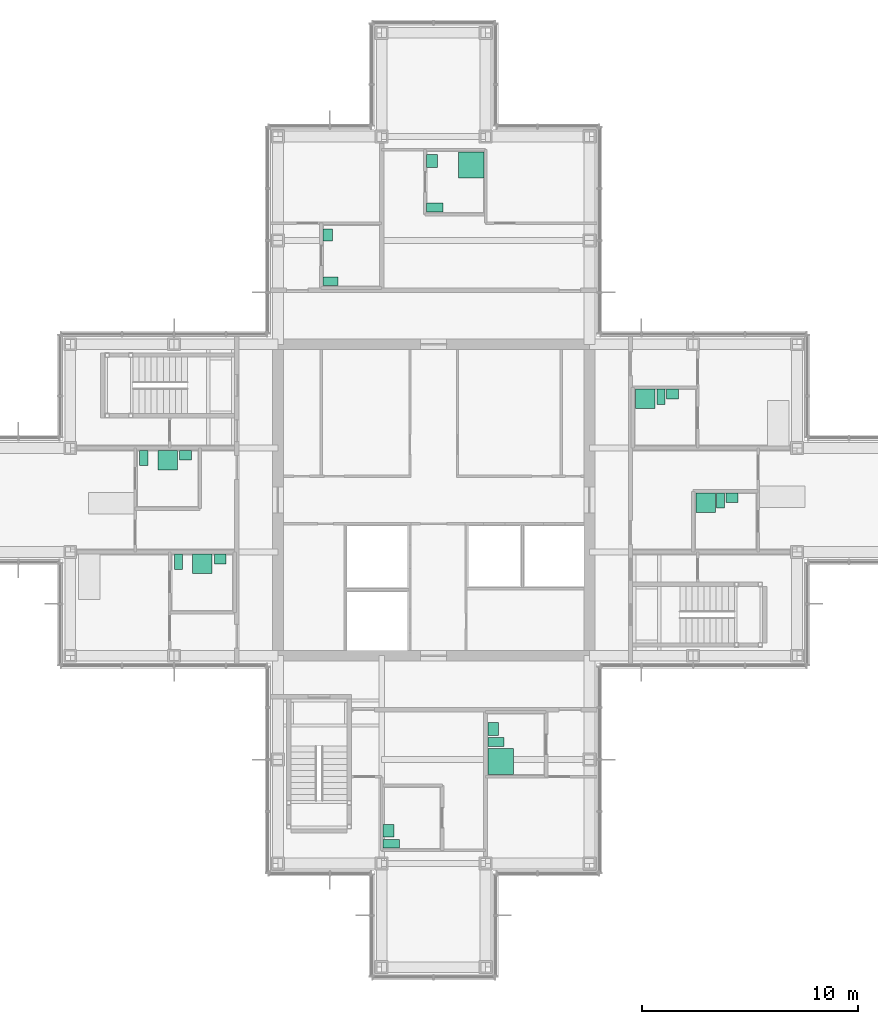
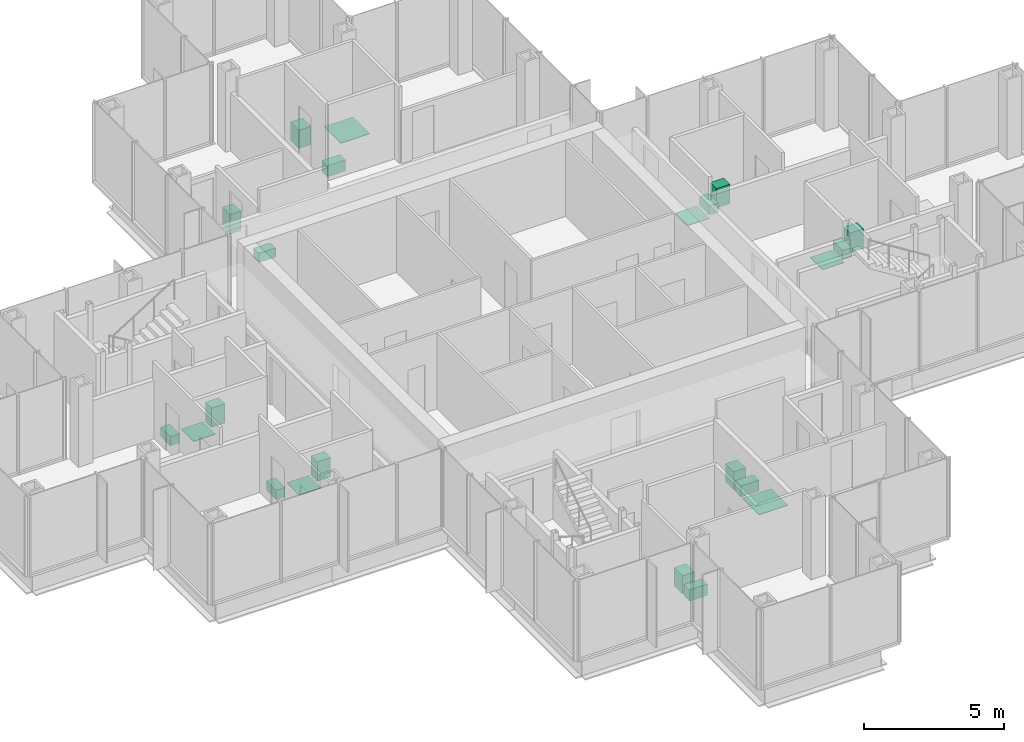
# One storey, part 16 of 17: 22 sanitary terminals.
"""IFC4 building model written with IfcOpenShell, lengths in metres."""

from ifc_helpers import new_model, si_unit, direction, frame, origin, origin_2d, place, context, subcontext, project, spatial, rectangle, extrude, material, type_object, element, save


model = new_model("IFC4")

# Units and contexts
model_context = context("Model", 3, precision=1e-05, world=origin(), true_north=direction((0.0, 1.0)))
body_context = subcontext(model_context, "Body", "Model", "MODEL_VIEW")
ifc_project = project(units=[si_unit("LENGTHUNIT", "METRE"), si_unit("AREAUNIT", "SQUARE_METRE"), si_unit("VOLUMEUNIT", "CUBIC_METRE"), si_unit("PLANEANGLEUNIT", "RADIAN"), si_unit("MASSUNIT", "GRAM", prefix="KILO")], contexts=[model_context])

# Site, building, storey
site_placement = place(None, origin())
site = spatial("IfcSite", under=ifc_project, at=site_placement, CompositionType="ELEMENT")
building_placement = place(site_placement, origin())
building = spatial("IfcBuilding", under=site, at=building_placement, Name="Kvirike Care Tower", CompositionType="ELEMENT")
storey_placement = place(building_placement, frame((0.0, 0.0, 172.5)))
storey = spatial("IfcBuildingStorey", under=building, at=storey_placement, Name="L47", CompositionType="ELEMENT", Elevation=172.5)

# Sanitary terminals
ifc_material_1 = material(Name="Vitreous china", Category="ceramic")
sanitary_terminal_type_1 = type_object("IfcSanitaryTerminalType", Name="ACCESSIBLE WASH BASIN 600 x 500", PredefinedType="WASHHANDBASIN", material=ifc_material_1)
for number, where, z_axis, x_axis, name in (
    (1, (19.511962890625, 20.7099609375, 0.02001953125), (0.0, 0.0, 1.0), (0.0, 1.0, 0.0), "Accessible wash basin L47-014"),
    (2, (24.35205078125, 25.409912109375, 0.02001953125), (0.0, 0.0, 1.0), (0.0, 1.0, 0.0), "Accessible wash basin L47-017"),
    (3, (21.527099609375, 51.675048828125, 0.02001953125), (0.0, 0.0, 1.0), (0.0, 1.0, 0.0), "Accessible wash basin L47-021"),
):
    element("IfcSanitaryTerminal", number, at=place(storey_placement, frame(where, z_axis=z_axis, x_axis=x_axis)), inside=storey, type_object=sanitary_terminal_type_1, Name=name, PredefinedType="WASHHANDBASIN", context=body_context, shape_type="SweptSolid", body=[
        extrude(rectangle(XDim=0.60009765625, YDim=0.5, at=origin_2d()), origin(), (0.0, 0.0, 1.0), 0.800048828125),
    ])
ifc_material_2 = material(Name="Vitreous china", Category="ceramic")
sanitary_terminal_type_2 = type_object("IfcSanitaryTerminalType", Name="ACCESSIBLE WC PAN 400 x 750", PredefinedType="TOILETPAN", material=ifc_material_2)
for number, where, z_axis, x_axis, name in (
    (4, (19.636962890625, 20.110107421875, 0.02001953125), (0.0, 0.0, 1.0), (0.0, 1.0, 0.0), "Accessible WC pan L47-014"),
    (5, (24.47705078125, 24.81005859375, 0.02001953125), (0.0, 0.0, 1.0), (0.0, 1.0, 0.0), "Accessible WC pan L47-017"),
    (6, (21.652099609375, 49.52490234375, 0.02001953125), (0.0, 0.0, 1.0), (0.0, 1.0, 0.0), "Accessible WC pan L47-021"),
):
    element("IfcSanitaryTerminal", number, at=place(storey_placement, frame(where, z_axis=z_axis, x_axis=x_axis)), inside=storey, type_object=sanitary_terminal_type_2, Name=name, PredefinedType="TOILETPAN", context=body_context, shape_type="SweptSolid", body=[
        extrude(rectangle(XDim=0.39990234375, YDim=0.75, at=origin_2d()), origin(), (0.0, 0.0, 1.0), 0.47998046875),
    ])
ifc_material_3 = material(Name="Stainless steel", Category="steel")
sanitary_terminal_type_3 = type_object("IfcSanitaryTerminalType", Name="LEVEL-ACCESS SHOWER 1200 x 1200", PredefinedType="SHOWER", material=ifc_material_3)
for number, where, z_axis, x_axis, name in (
    (7, (24.701904296875, 23.909912109375, 0.02001953125), (0.0, 0.0, 1.0), (0.0, 1.0, 0.0), "Level-access shower L47-017"),
    (8, (23.337890625, 51.489990234375, 0.02001953125), (0.0, 0.0, 1.0), (0.0, -1.0, 0.0), "Level-access shower L47-021"),
):
    element("IfcSanitaryTerminal", number, at=place(storey_placement, frame(where, z_axis=z_axis, x_axis=x_axis)), inside=storey, type_object=sanitary_terminal_type_3, Name=name, PredefinedType="SHOWER", context=body_context, shape_type="SweptSolid", body=[
        extrude(rectangle(XDim=1.199951171875, YDim=1.199951171875, at=origin_2d()), origin(), (0.0, 0.0, 1.0), 0.02001953125),
    ])
ifc_material_4 = material(Name="Stainless steel", Category="steel")
sanitary_terminal_type_4 = type_object("IfcSanitaryTerminalType", Name="LEVEL-ACCESS SHOWER 900 x 900", PredefinedType="SHOWER", material=ifc_material_4)
for number, where, z_axis, x_axis, name in (
    (9, (9.31005859375, 37.847900390625, 0.02001953125), (0.0, 0.0, 1.0), (1.0, 0.0, 0.0), "Level-access shower L47-006"),
    (10, (10.909912109375, 33.048095703125, 0.02001953125), (0.0, 0.0, 1.0), (1.0, 0.0, 0.0), "Level-access shower L47-009"),
    (11, (34.175048828125, 35.873046875, 0.02001953125), (0.0, 0.0, 1.0), (1.0, 0.0, 0.0), "Level-access shower L47-031"),
    (12, (31.375, 40.673095703125, 0.02001953125), (0.0, 0.0, 1.0), (1.0, 0.0, 0.0), "Level-access shower L47-034"),
):
    element("IfcSanitaryTerminal", number, at=place(storey_placement, frame(where, z_axis=z_axis, x_axis=x_axis)), inside=storey, type_object=sanitary_terminal_type_4, Name=name, PredefinedType="SHOWER", context=body_context, shape_type="SweptSolid", body=[
        extrude(rectangle(XDim=0.89990234375, YDim=0.89990234375, at=origin_2d()), origin(), (0.0, 0.0, 1.0), 0.02001953125),
    ])
ifc_material_5 = material(Name="Vitreous china", Category="ceramic")
sanitary_terminal_type_5 = type_object("IfcSanitaryTerminalType", Name="WASH BASIN 550 x 450", PredefinedType="WASHHANDBASIN", material=ifc_material_5)
for number, where, z_axis, x_axis, name in (
    (13, (10.135009765625, 38.072998046875, 0.02001953125), (0.0, 0.0, 1.0), (1.0, 0.0, 0.0), "Wash basin L47-006"),
    (14, (11.735107421875, 33.27294921875, 0.02001953125), (0.0, 0.0, 1.0), (1.0, 0.0, 0.0), "Wash basin L47-009"),
    (15, (16.701904296875, 48.25, 0.02001953125), (0.0, 0.0, 1.0), (0.0, 1.0, 0.0), "Wash basin L47-024"),
    (16, (35.39990234375, 36.097900390625, 0.02001953125), (0.0, 0.0, 1.0), (1.0, 0.0, 0.0), "Wash basin L47-031"),
    (17, (32.64990234375, 40.89794921875, 0.02001953125), (0.0, 0.0, 1.0), (1.0, 0.0, 0.0), "Wash basin L47-034"),
):
    element("IfcSanitaryTerminal", number, at=place(storey_placement, frame(where, z_axis=z_axis, x_axis=x_axis)), inside=storey, type_object=sanitary_terminal_type_5, Name=name, PredefinedType="WASHHANDBASIN", context=body_context, shape_type="SweptSolid", body=[
        extrude(rectangle(XDim=0.550048828125, YDim=0.449951171875, at=origin_2d()), origin(), (0.0, 0.0, 1.0), 0.85009765625),
    ])
ifc_material_6 = material(Name="Vitreous china", Category="ceramic")
sanitary_terminal_type_6 = type_object("IfcSanitaryTerminalType", Name="WC PAN 380 x 700", PredefinedType="TOILETPAN", material=ifc_material_6)
for number, where, z_axis, x_axis, name in (
    (18, (8.199951171875, 37.947998046875, 0.02001953125), (0.0, 0.0, 1.0), (1.0, 0.0, 0.0), "WC pan L47-006"),
    (19, (9.800048828125, 33.14794921875, 0.02001953125), (0.0, 0.0, 1.0), (1.0, 0.0, 0.0), "WC pan L47-009"),
    (20, (16.826904296875, 46.114990234375, 0.02001953125), (0.0, 0.0, 1.0), (0.0, 1.0, 0.0), "WC pan L47-024"),
    (21, (34.864990234375, 35.972900390625, 0.02001953125), (0.0, 0.0, 1.0), (1.0, 0.0, 0.0), "WC pan L47-031"),
    (22, (32.114990234375, 40.77294921875, 0.02001953125), (0.0, 0.0, 1.0), (1.0, 0.0, 0.0), "WC pan L47-034"),
):
    element("IfcSanitaryTerminal", number, at=place(storey_placement, frame(where, z_axis=z_axis, x_axis=x_axis)), inside=storey, type_object=sanitary_terminal_type_6, Name=name, PredefinedType="TOILETPAN", context=body_context, shape_type="SweptSolid", body=[
        extrude(rectangle(XDim=0.3798828125, YDim=0.699951171875, at=origin_2d()), origin(), (0.0, 0.0, 1.0), 0.39990234375),
    ])

save(model, "model.ifc")
